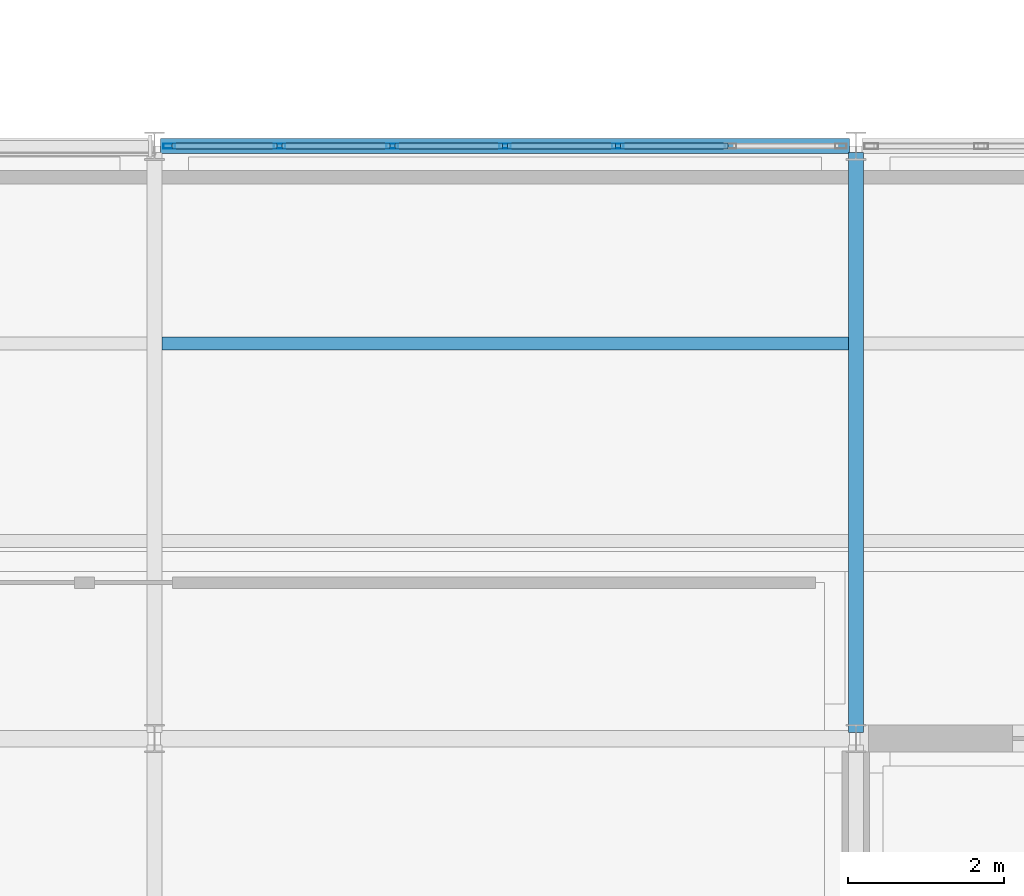
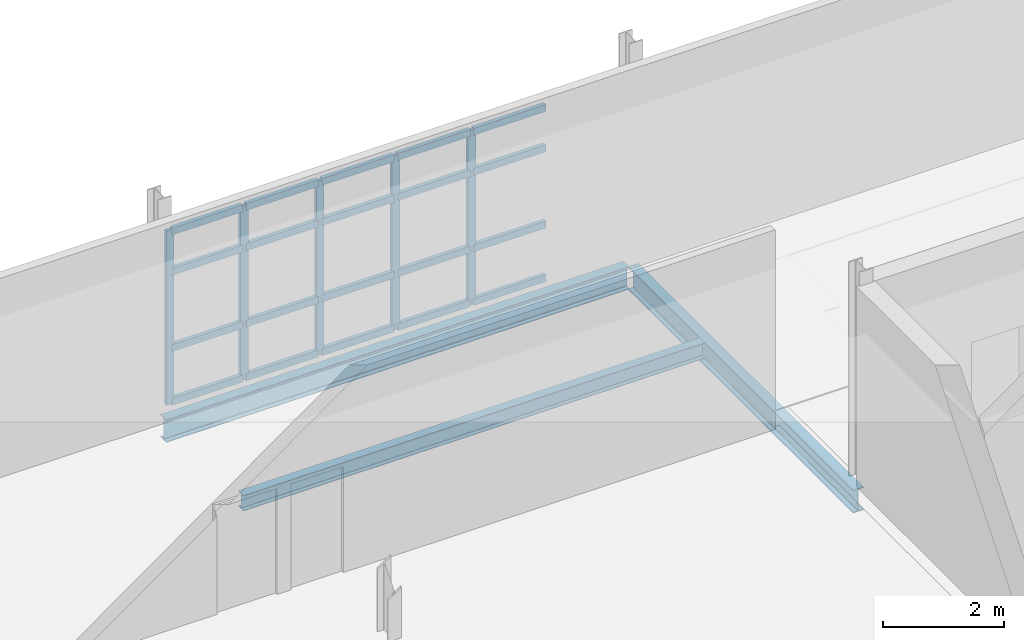
# One storey, part 26 of 96: 25 members, 3 beams, 1 element without a shape of its own.
"""IFC4 building model written with IfcOpenShell, lengths in metres."""

from ifc_helpers import new_model, si_unit, direction, frame, origin, origin_2d, place, context, subcontext, project, spatial, hollow_rectangle, i_section, extrude, material, material_profile, profile_set, type_object, element, aggregate, save


model = new_model("IFC4")

# Units and contexts
model_context = context("Model", 3, precision=1e-05, world=origin(), true_north=direction((0.0, 1.0)))
body_context = subcontext(model_context, "Body", "Model", "MODEL_VIEW")
ifc_project = project(units=[si_unit("LENGTHUNIT", "METRE"), si_unit("AREAUNIT", "SQUARE_METRE"), si_unit("VOLUMEUNIT", "CUBIC_METRE"), si_unit("PLANEANGLEUNIT", "RADIAN"), si_unit("MASSUNIT", "GRAM", prefix="KILO")], contexts=[model_context])

# Site, building, storey
site_placement = place(None, origin())
site = spatial("IfcSite", under=ifc_project, at=site_placement, CompositionType="ELEMENT")
building_placement = place(site_placement, origin())
building = spatial("IfcBuilding", under=site, at=building_placement, Name="Caisbarro Railhouse Central Library", CompositionType="ELEMENT")
storey_placement = place(building_placement, frame((0.0, 0.0, 13.679931640625)))
storey = spatial("IfcBuildingStorey", under=building, at=storey_placement, Name="L03", CompositionType="ELEMENT", Elevation=13.679931640625)

# Beams
ifc_material_1 = material(Name="Steel ASTM A572 Grade 50", Category="steel")
ifc_material_profile_1 = material_profile(ifc_material_1, i_section(OverallWidth=0.194091796875, OverallDepth=0.468994140625, WebThickness=0.0126953125, FlangeThickness=0.0205078125, FilletRadius=0.01806640625, at=origin_2d()), Name="W460X106.0")
ifc_profile_set_1 = profile_set([ifc_material_profile_1], Name="Steel ASTM A572 Grade 50")
beam_type_1 = type_object("IfcBeamType", Name="BM-G07", PredefinedType="BEAM", material=ifc_profile_set_1)
beam_1_placement = place(storey_placement, frame((90.0, 15.280029296875, -0.474365234375), z_axis=(0.0, 1.0, 0.0), x_axis=(-1.0, 0.0, 0.0)))
element("IfcBeam", 1, at=beam_1_placement, inside=storey, type_object=beam_type_1, Name="G07 beam L03 #1793", PredefinedType="BEAM", context=body_context, shape_type="SweptSolid", body=[
    extrude(i_section(OverallWidth=0.194091796875, OverallDepth=0.468994140625, WebThickness=0.0126953125, FlangeThickness=0.0205078125, FilletRadius=0.01806640625, at=origin_2d()), origin(), (0.0, 0.0, 1.0), 7.43994140625),
])
ifc_material_profile_2 = material_profile(ifc_material_1, i_section(OverallWidth=0.1669921875, OverallDepth=0.31689453125, WebThickness=0.007568359375, FlangeThickness=0.01318359375, FilletRadius=0.011962890625, at=origin_2d()), Name="W310X52.0")
ifc_profile_set_2 = profile_set([ifc_material_profile_2], Name="Steel ASTM A572 Grade 50")
beam_type_2 = type_object("IfcBeamType", Name="BM-J02", PredefinedType="JOIST", material=ifc_profile_set_2)
beam_2_placement = place(storey_placement, frame((81.096923828125, 20.2666015625, -0.3984375), z_axis=(1.0, 0.0, 0.0), x_axis=(0.0, 1.0, 0.0)))
element("IfcBeam", 2, at=beam_2_placement, inside=storey, type_object=beam_type_2, Name="J02 beam L03 #1819", PredefinedType="JOIST", context=body_context, shape_type="SweptSolid", body=[
    extrude(i_section(OverallWidth=0.1669921875, OverallDepth=0.31689453125, WebThickness=0.007568359375, FlangeThickness=0.01318359375, FilletRadius=0.011962890625, at=origin_2d()), origin(), (0.0, 0.0, 1.0), 8.80615234375),
])
ifc_material_profile_3 = material_profile(ifc_material_1, i_section(OverallWidth=0.18994140625, OverallDepth=0.45703125, WebThickness=0.009033203125, FlangeThickness=0.014404296875, FilletRadius=0.01806640625, at=origin_2d()), Name="W460X74.0")
ifc_profile_set_3 = profile_set([ifc_material_profile_3], Name="Steel ASTM A572 Grade 50")
beam_type_3 = type_object("IfcBeamType", Name="BM-SP01", PredefinedType="SPANDREL", material=ifc_profile_set_3)
beam_3_placement = place(storey_placement, frame((81.080078125, 22.800048828125, -0.468505859375), z_axis=(1.0, 0.0, 0.0), x_axis=(0.0, 1.0, 0.0)))
element("IfcBeam", 3, at=beam_3_placement, inside=storey, type_object=beam_type_3, Name="SP01 beam L03 #1776", PredefinedType="SPANDREL", context=body_context, shape_type="SweptSolid", body=[
    extrude(i_section(OverallWidth=0.18994140625, OverallDepth=0.45703125, WebThickness=0.009033203125, FlangeThickness=0.014404296875, FilletRadius=0.01806640625, at=origin_2d()), origin(), (0.0, 0.0, 1.0), 8.83984375),
])

# Curtain wall, members
ifc_material_2 = material(Name="Anodised architectural aluminium", Category="aluminium")
curtain_wall_type = type_object("IfcCurtainWallType", Name="CW-CW02", PredefinedType="NOTDEFINED", material=ifc_material_2)
curtain_wall_placement = place(storey_placement, origin())
curtain_wall = element("IfcCurtainWall", 4, at=curtain_wall_placement, inside=storey, type_object=curtain_wall_type, Name="CW02 curtain wall L03 #64", PredefinedType="NOTDEFINED")
ifc_material_profile_4 = material_profile(ifc_material_2, hollow_rectangle(XDim=0.06494140625, YDim=0.14990234375, WallThickness=0.00390625, at=origin_2d()), Name="ALU-MUL-65X150")
ifc_profile_set_4 = profile_set([ifc_material_profile_4], Name="Anodised architectural aluminium")
member_type_1 = type_object("IfcMemberType", Name="CWM-M02", PredefinedType="MULLION", material=ifc_profile_set_4)
member_1_placement = place(storey_placement, frame((81.1923828125, 22.800048828125, 0.0), z_axis=(0.0, 0.0, 1.0), x_axis=(0.0, 1.0, 0.0)))
member_1 = element("IfcMember", 5, at=member_1_placement, type_object=member_type_1, Name="CW02 mullion 1", PredefinedType="MULLION", context=body_context, shape_type="SweptSolid", body=[
    extrude(hollow_rectangle(XDim=0.06494140625, YDim=0.14990234375, WallThickness=0.00390625, at=origin_2d()), origin(), (0.0, 0.0, 1.0), 3.510009765625),
])
member_2_placement = place(storey_placement, frame((82.606689453125, 22.800048828125, 0.0), z_axis=(0.0, 0.0, 1.0), x_axis=(0.0, 1.0, 0.0)))
member_2 = element("IfcMember", 6, at=member_2_placement, type_object=member_type_1, Name="CW02 mullion 2", PredefinedType="MULLION", context=body_context, shape_type="SweptSolid", body=[
    extrude(hollow_rectangle(XDim=0.06494140625, YDim=0.14990234375, WallThickness=0.00390625, at=origin_2d()), origin(), (0.0, 0.0, 1.0), 3.510009765625),
])
member_3_placement = place(storey_placement, frame((84.05322265625, 22.800048828125, 0.0), z_axis=(0.0, 0.0, 1.0), x_axis=(0.0, 1.0, 0.0)))
member_3 = element("IfcMember", 7, at=member_3_placement, type_object=member_type_1, Name="CW02 mullion 3", PredefinedType="MULLION", context=body_context, shape_type="SweptSolid", body=[
    extrude(hollow_rectangle(XDim=0.06494140625, YDim=0.14990234375, WallThickness=0.00390625, at=origin_2d()), origin(), (0.0, 0.0, 1.0), 3.510009765625),
])
member_4_placement = place(storey_placement, frame((85.5, 22.800048828125, 0.0), z_axis=(0.0, 0.0, 1.0), x_axis=(0.0, 1.0, 0.0)))
member_4 = element("IfcMember", 8, at=member_4_placement, type_object=member_type_1, Name="CW02 mullion 4", PredefinedType="MULLION", context=body_context, shape_type="SweptSolid", body=[
    extrude(hollow_rectangle(XDim=0.06494140625, YDim=0.14990234375, WallThickness=0.00390625, at=origin_2d()), origin(), (0.0, 0.0, 1.0), 3.510009765625),
])
member_5_placement = place(storey_placement, frame((86.94677734375, 22.800048828125, 0.0), z_axis=(0.0, 0.0, 1.0), x_axis=(0.0, 1.0, 0.0)))
member_5 = element("IfcMember", 9, at=member_5_placement, type_object=member_type_1, Name="CW02 mullion 5", PredefinedType="MULLION", context=body_context, shape_type="SweptSolid", body=[
    extrude(hollow_rectangle(XDim=0.06494140625, YDim=0.14990234375, WallThickness=0.00390625, at=origin_2d()), origin(), (0.0, 0.0, 1.0), 3.510009765625),
])
ifc_material_profile_5 = material_profile(ifc_material_2, hollow_rectangle(XDim=0.074951171875, YDim=0.139892578125, WallThickness=0.00390625, at=origin_2d()), Name="ALU-TRN-75X140")
ifc_profile_set_5 = profile_set([ifc_material_profile_5], Name="Anodised architectural aluminium")
member_type_2 = type_object("IfcMemberType", Name="CWT-T01", PredefinedType="USERDEFINED", material=ifc_profile_set_5)
member_6_placement = place(storey_placement, frame((81.22509765625, 22.800048828125, 0.03759765625), z_axis=(1.0, 0.0, 0.0), x_axis=(0.0, 1.0, 0.0)))
member_6 = element("IfcMember", 10, at=member_6_placement, type_object=member_type_2, Name="CW02 transom 1.1", ObjectType="TRANSOM", PredefinedType="USERDEFINED", context=body_context, shape_type="SweptSolid", body=[
    extrude(hollow_rectangle(XDim=0.074951171875, YDim=0.139892578125, WallThickness=0.00390625, at=origin_2d()), origin(), (0.0, 0.0, 1.0), 1.34912109375),
])
member_7_placement = place(storey_placement, frame((81.22509765625, 22.800048828125, 1.1201171875), z_axis=(1.0, 0.0, 0.0), x_axis=(0.0, 1.0, 0.0)))
member_7 = element("IfcMember", 11, at=member_7_placement, type_object=member_type_2, Name="CW02 transom 1.2", ObjectType="TRANSOM", PredefinedType="USERDEFINED", context=body_context, shape_type="SweptSolid", body=[
    extrude(hollow_rectangle(XDim=0.074951171875, YDim=0.139892578125, WallThickness=0.00390625, at=origin_2d()), origin(), (0.0, 0.0, 1.0), 1.34912109375),
])
member_8_placement = place(storey_placement, frame((81.22509765625, 22.800048828125, 2.66015625), z_axis=(1.0, 0.0, 0.0), x_axis=(0.0, 1.0, 0.0)))
member_8 = element("IfcMember", 12, at=member_8_placement, type_object=member_type_2, Name="CW02 transom 1.3", ObjectType="TRANSOM", PredefinedType="USERDEFINED", context=body_context, shape_type="SweptSolid", body=[
    extrude(hollow_rectangle(XDim=0.074951171875, YDim=0.139892578125, WallThickness=0.00390625, at=origin_2d()), origin(), (0.0, 0.0, 1.0), 1.34912109375),
])
member_9_placement = place(storey_placement, frame((81.22509765625, 22.800048828125, 3.47265625), z_axis=(1.0, 0.0, 0.0), x_axis=(0.0, 1.0, 0.0)))
member_9 = element("IfcMember", 13, at=member_9_placement, type_object=member_type_2, Name="CW02 transom 1.4", ObjectType="TRANSOM", PredefinedType="USERDEFINED", context=body_context, shape_type="SweptSolid", body=[
    extrude(hollow_rectangle(XDim=0.074951171875, YDim=0.139892578125, WallThickness=0.00390625, at=origin_2d()), origin(), (0.0, 0.0, 1.0), 1.34912109375),
])
member_10_placement = place(storey_placement, frame((82.63916015625, 22.800048828125, 0.03759765625), z_axis=(1.0, 0.0, 0.0), x_axis=(0.0, 1.0, 0.0)))
member_10 = element("IfcMember", 14, at=member_10_placement, type_object=member_type_2, Name="CW02 transom 2.1", ObjectType="TRANSOM", PredefinedType="USERDEFINED", context=body_context, shape_type="SweptSolid", body=[
    extrude(hollow_rectangle(XDim=0.074951171875, YDim=0.139892578125, WallThickness=0.00390625, at=origin_2d()), origin(), (0.0, 0.0, 1.0), 1.381591796875),
])
member_11_placement = place(storey_placement, frame((82.63916015625, 22.800048828125, 1.1201171875), z_axis=(1.0, 0.0, 0.0), x_axis=(0.0, 1.0, 0.0)))
member_11 = element("IfcMember", 15, at=member_11_placement, type_object=member_type_2, Name="CW02 transom 2.2", ObjectType="TRANSOM", PredefinedType="USERDEFINED", context=body_context, shape_type="SweptSolid", body=[
    extrude(hollow_rectangle(XDim=0.074951171875, YDim=0.139892578125, WallThickness=0.00390625, at=origin_2d()), origin(), (0.0, 0.0, 1.0), 1.381591796875),
])
member_12_placement = place(storey_placement, frame((82.63916015625, 22.800048828125, 2.66015625), z_axis=(1.0, 0.0, 0.0), x_axis=(0.0, 1.0, 0.0)))
member_12 = element("IfcMember", 16, at=member_12_placement, type_object=member_type_2, Name="CW02 transom 2.3", ObjectType="TRANSOM", PredefinedType="USERDEFINED", context=body_context, shape_type="SweptSolid", body=[
    extrude(hollow_rectangle(XDim=0.074951171875, YDim=0.139892578125, WallThickness=0.00390625, at=origin_2d()), origin(), (0.0, 0.0, 1.0), 1.381591796875),
])
member_13_placement = place(storey_placement, frame((82.63916015625, 22.800048828125, 3.47265625), z_axis=(1.0, 0.0, 0.0), x_axis=(0.0, 1.0, 0.0)))
member_13 = element("IfcMember", 17, at=member_13_placement, type_object=member_type_2, Name="CW02 transom 2.4", ObjectType="TRANSOM", PredefinedType="USERDEFINED", context=body_context, shape_type="SweptSolid", body=[
    extrude(hollow_rectangle(XDim=0.074951171875, YDim=0.139892578125, WallThickness=0.00390625, at=origin_2d()), origin(), (0.0, 0.0, 1.0), 1.381591796875),
])
member_14_placement = place(storey_placement, frame((84.0859375, 22.800048828125, 0.03759765625), z_axis=(1.0, 0.0, 0.0), x_axis=(0.0, 1.0, 0.0)))
member_14 = element("IfcMember", 18, at=member_14_placement, type_object=member_type_2, Name="CW02 transom 3.1", ObjectType="TRANSOM", PredefinedType="USERDEFINED", context=body_context, shape_type="SweptSolid", body=[
    extrude(hollow_rectangle(XDim=0.074951171875, YDim=0.139892578125, WallThickness=0.00390625, at=origin_2d()), origin(), (0.0, 0.0, 1.0), 1.381591796875),
])
member_15_placement = place(storey_placement, frame((84.0859375, 22.800048828125, 1.1201171875), z_axis=(1.0, 0.0, 0.0), x_axis=(0.0, 1.0, 0.0)))
member_15 = element("IfcMember", 19, at=member_15_placement, type_object=member_type_2, Name="CW02 transom 3.2", ObjectType="TRANSOM", PredefinedType="USERDEFINED", context=body_context, shape_type="SweptSolid", body=[
    extrude(hollow_rectangle(XDim=0.074951171875, YDim=0.139892578125, WallThickness=0.00390625, at=origin_2d()), origin(), (0.0, 0.0, 1.0), 1.381591796875),
])
member_16_placement = place(storey_placement, frame((84.0859375, 22.800048828125, 2.66015625), z_axis=(1.0, 0.0, 0.0), x_axis=(0.0, 1.0, 0.0)))
member_16 = element("IfcMember", 20, at=member_16_placement, type_object=member_type_2, Name="CW02 transom 3.3", ObjectType="TRANSOM", PredefinedType="USERDEFINED", context=body_context, shape_type="SweptSolid", body=[
    extrude(hollow_rectangle(XDim=0.074951171875, YDim=0.139892578125, WallThickness=0.00390625, at=origin_2d()), origin(), (0.0, 0.0, 1.0), 1.381591796875),
])
member_17_placement = place(storey_placement, frame((84.0859375, 22.800048828125, 3.47265625), z_axis=(1.0, 0.0, 0.0), x_axis=(0.0, 1.0, 0.0)))
member_17 = element("IfcMember", 21, at=member_17_placement, type_object=member_type_2, Name="CW02 transom 3.4", ObjectType="TRANSOM", PredefinedType="USERDEFINED", context=body_context, shape_type="SweptSolid", body=[
    extrude(hollow_rectangle(XDim=0.074951171875, YDim=0.139892578125, WallThickness=0.00390625, at=origin_2d()), origin(), (0.0, 0.0, 1.0), 1.381591796875),
])
member_18_placement = place(storey_placement, frame((85.532470703125, 22.800048828125, 0.03759765625), z_axis=(1.0, 0.0, 0.0), x_axis=(0.0, 1.0, 0.0)))
member_18 = element("IfcMember", 22, at=member_18_placement, type_object=member_type_2, Name="CW02 transom 4.1", ObjectType="TRANSOM", PredefinedType="USERDEFINED", context=body_context, shape_type="SweptSolid", body=[
    extrude(hollow_rectangle(XDim=0.074951171875, YDim=0.139892578125, WallThickness=0.00390625, at=origin_2d()), origin(), (0.0, 0.0, 1.0), 1.381591796875),
])
member_19_placement = place(storey_placement, frame((85.532470703125, 22.800048828125, 1.1201171875), z_axis=(1.0, 0.0, 0.0), x_axis=(0.0, 1.0, 0.0)))
member_19 = element("IfcMember", 23, at=member_19_placement, type_object=member_type_2, Name="CW02 transom 4.2", ObjectType="TRANSOM", PredefinedType="USERDEFINED", context=body_context, shape_type="SweptSolid", body=[
    extrude(hollow_rectangle(XDim=0.074951171875, YDim=0.139892578125, WallThickness=0.00390625, at=origin_2d()), origin(), (0.0, 0.0, 1.0), 1.381591796875),
])
member_20_placement = place(storey_placement, frame((85.532470703125, 22.800048828125, 2.66015625), z_axis=(1.0, 0.0, 0.0), x_axis=(0.0, 1.0, 0.0)))
member_20 = element("IfcMember", 24, at=member_20_placement, type_object=member_type_2, Name="CW02 transom 4.3", ObjectType="TRANSOM", PredefinedType="USERDEFINED", context=body_context, shape_type="SweptSolid", body=[
    extrude(hollow_rectangle(XDim=0.074951171875, YDim=0.139892578125, WallThickness=0.00390625, at=origin_2d()), origin(), (0.0, 0.0, 1.0), 1.381591796875),
])
member_21_placement = place(storey_placement, frame((85.532470703125, 22.800048828125, 3.47265625), z_axis=(1.0, 0.0, 0.0), x_axis=(0.0, 1.0, 0.0)))
member_21 = element("IfcMember", 25, at=member_21_placement, type_object=member_type_2, Name="CW02 transom 4.4", ObjectType="TRANSOM", PredefinedType="USERDEFINED", context=body_context, shape_type="SweptSolid", body=[
    extrude(hollow_rectangle(XDim=0.074951171875, YDim=0.139892578125, WallThickness=0.00390625, at=origin_2d()), origin(), (0.0, 0.0, 1.0), 1.381591796875),
])
member_22_placement = place(storey_placement, frame((86.979248046875, 22.800048828125, 0.03759765625), z_axis=(1.0, 0.0, 0.0), x_axis=(0.0, 1.0, 0.0)))
member_22 = element("IfcMember", 26, at=member_22_placement, type_object=member_type_2, Name="CW02 transom 5.1", ObjectType="TRANSOM", PredefinedType="USERDEFINED", context=body_context, shape_type="SweptSolid", body=[
    extrude(hollow_rectangle(XDim=0.074951171875, YDim=0.139892578125, WallThickness=0.00390625, at=origin_2d()), origin(), (0.0, 0.0, 1.0), 1.381591796875),
])
member_23_placement = place(storey_placement, frame((86.979248046875, 22.800048828125, 1.1201171875), z_axis=(1.0, 0.0, 0.0), x_axis=(0.0, 1.0, 0.0)))
member_23 = element("IfcMember", 27, at=member_23_placement, type_object=member_type_2, Name="CW02 transom 5.2", ObjectType="TRANSOM", PredefinedType="USERDEFINED", context=body_context, shape_type="SweptSolid", body=[
    extrude(hollow_rectangle(XDim=0.074951171875, YDim=0.139892578125, WallThickness=0.00390625, at=origin_2d()), origin(), (0.0, 0.0, 1.0), 1.381591796875),
])
member_24_placement = place(storey_placement, frame((86.979248046875, 22.800048828125, 2.66015625), z_axis=(1.0, 0.0, 0.0), x_axis=(0.0, 1.0, 0.0)))
member_24 = element("IfcMember", 28, at=member_24_placement, type_object=member_type_2, Name="CW02 transom 5.3", ObjectType="TRANSOM", PredefinedType="USERDEFINED", context=body_context, shape_type="SweptSolid", body=[
    extrude(hollow_rectangle(XDim=0.074951171875, YDim=0.139892578125, WallThickness=0.00390625, at=origin_2d()), origin(), (0.0, 0.0, 1.0), 1.381591796875),
])
member_25_placement = place(storey_placement, frame((86.979248046875, 22.800048828125, 3.47265625), z_axis=(1.0, 0.0, 0.0), x_axis=(0.0, 1.0, 0.0)))
member_25 = element("IfcMember", 29, at=member_25_placement, type_object=member_type_2, Name="CW02 transom 5.4", ObjectType="TRANSOM", PredefinedType="USERDEFINED", context=body_context, shape_type="SweptSolid", body=[
    extrude(hollow_rectangle(XDim=0.074951171875, YDim=0.139892578125, WallThickness=0.00390625, at=origin_2d()), origin(), (0.0, 0.0, 1.0), 1.381591796875),
])
aggregate(curtain_wall, [member_1, member_2, member_3, member_4, member_5, member_6, member_7, member_8, member_9, member_10, member_11, member_12, member_13, member_14, member_15, member_16, member_17, member_18, member_19, member_20, member_21, member_22, member_23, member_24, member_25])

save(model, "model.ifc")
